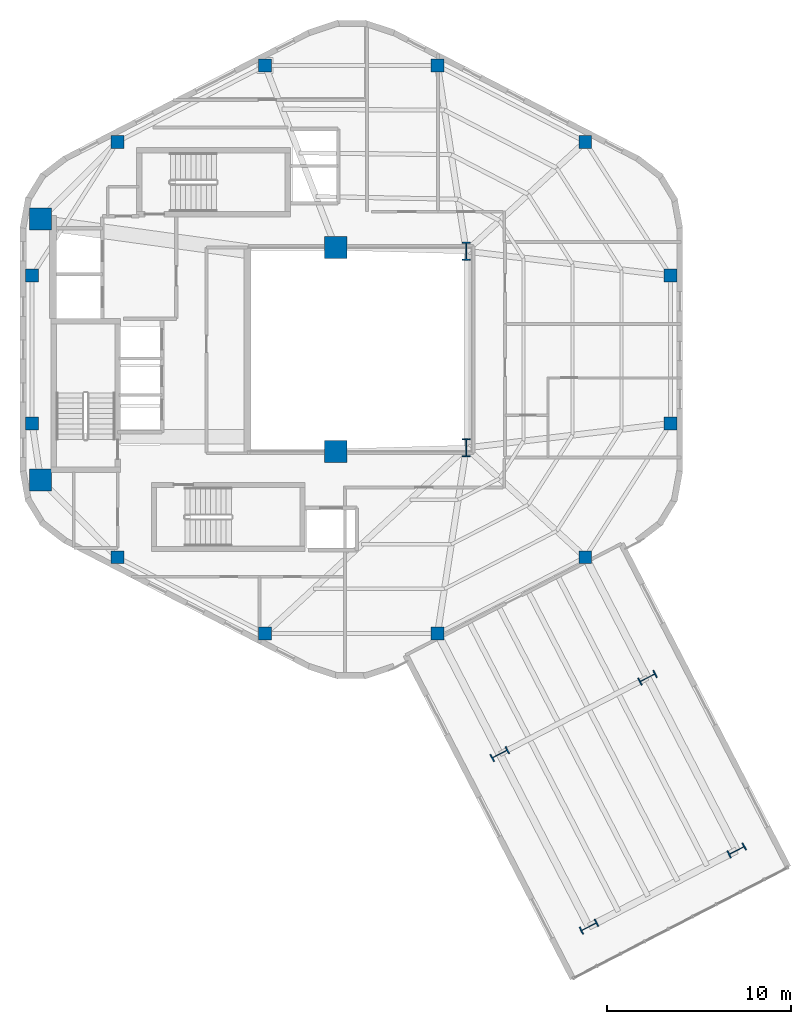
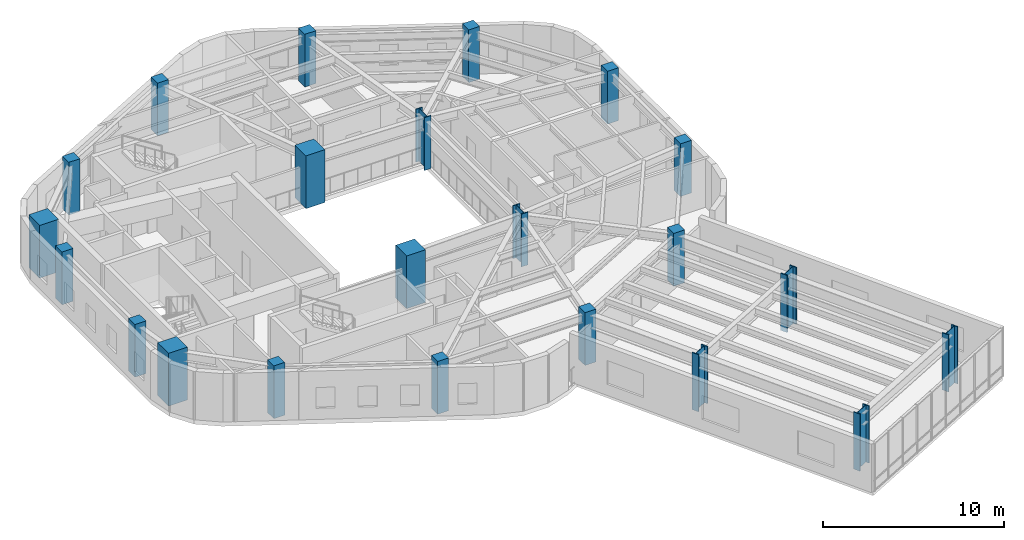
# One storey, part 1 of 10: 22 columns.
"""IFC4 building model written with IfcOpenShell, lengths in metres."""

from ifc_helpers import new_model, si_unit, direction, frame, origin, origin_2d, place, context, subcontext, project, spatial, rectangle, i_section, extrude, material, material_profile, profile_set, type_object, element, save


model = new_model("IFC4")

# Units and contexts
model_context = context("Model", 3, precision=1e-05, world=origin(), true_north=direction((0.0, 1.0)))
body_context = subcontext(model_context, "Body", "Model", "MODEL_VIEW")
ifc_project = project(units=[si_unit("LENGTHUNIT", "METRE"), si_unit("AREAUNIT", "SQUARE_METRE"), si_unit("VOLUMEUNIT", "CUBIC_METRE"), si_unit("PLANEANGLEUNIT", "RADIAN"), si_unit("MASSUNIT", "GRAM", prefix="KILO"), si_unit("THERMODYNAMICTEMPERATUREUNIT", "KELVIN"), si_unit("POWERUNIT", "WATT")], contexts=[model_context])

# Site, building, storey
site_placement = place(None, origin())
site = spatial("IfcSite", under=ifc_project, at=site_placement, CompositionType="ELEMENT")
building_placement = place(site_placement, origin())
building = spatial("IfcBuilding", under=site, at=building_placement, Name="Skarre Station Tower", CompositionType="ELEMENT")
storey_placement = place(building_placement, frame((0.0, 0.0, 234.800048828125)))
storey = spatial("IfcBuildingStorey", under=building, at=storey_placement, Name="L64", CompositionType="ELEMENT", Elevation=234.800048828125)

# Columns
ifc_material_1 = material(Name="Concrete C60/75", Category="concrete")
ifc_material_profile_1 = material_profile(ifc_material_1, rectangle(XDim=1.199951171875, YDim=1.199951171875, at=origin_2d()), Name="Concrete C60/75")
ifc_profile_set_1 = profile_set([ifc_material_profile_1], Name="Concrete C60/75")
column_type_1 = type_object("IfcColumnType", Name="RC Structural Column RC-COL-1200X1200", PredefinedType="COLUMN", material=ifc_profile_set_1)
for number, where, z_axis, x_axis, name in (
    (1, (16.300048828125, 16.89990234375, 0.0), (0.0, 0.0, 1.0), (1.0, 0.0, 0.0), "L64 Core Column CC-SW"),
    (2, (16.300048828125, 31.10009765625, 0.0), (0.0, 0.0, 1.0), (1.0, 0.0, 0.0), "L64 Core Column CC-NW"),
    (3, (32.35009765625, 18.449951171875, 0.0), (0.0, 0.0, 1.0), (1.0, 0.0, 0.0), "L64 Core Column CC-SE"),
    (4, (32.35009765625, 29.550048828125, 0.0), (0.0, 0.0, 1.0), (1.0, 0.0, 0.0), "L64 Core Column CC-NE"),
):
    element("IfcColumn", number, at=place(storey_placement, frame(where, z_axis=z_axis, x_axis=x_axis)), inside=storey, type_object=column_type_1, Name=name, PredefinedType="COLUMN", context=body_context, shape_type="SweptSolid", body=[
        extrude(rectangle(XDim=1.199951171875, YDim=1.199951171875, at=origin_2d()), origin(), (0.0, 0.0, 1.0), 3.550048828125),
    ])
ifc_material_2 = material(Name="Concrete C50/60", Category="concrete")
ifc_material_profile_2 = material_profile(ifc_material_2, rectangle(XDim=0.699951171875, YDim=0.699951171875, at=origin_2d()), Name="Concrete C50/60")
ifc_profile_set_2 = profile_set([ifc_material_profile_2], Name="Concrete C50/60")
column_type_2 = type_object("IfcColumnType", Name="RC Structural Column RC-COL-700X700", PredefinedType="COLUMN", material=ifc_profile_set_2)
for number, where, z_axis, x_axis, name in (
    (5, (45.927001953125, 35.298095703125, 0.0), (0.0, 0.0, 1.0), (1.0, 0.0, 0.0), "L64 Zone 4 Perimeter Column F0C1"),
    (6, (37.888916015625, 39.447021484375, 0.0), (0.0, 0.0, 1.0), (1.0, 0.0, 0.0), "L64 Zone 4 Perimeter Column F0C2"),
    (7, (28.510986328125, 39.447021484375, 0.0), (0.0, 0.0, 1.0), (1.0, 0.0, 0.0), "L64 Zone 4 Perimeter Column F1C1"),
    (8, (20.472900390625, 35.298095703125, 0.0), (0.0, 0.0, 1.0), (1.0, 0.0, 0.0), "L64 Zone 4 Perimeter Column F1C2"),
    (9, (15.8369140625, 28.02099609375, 0.0), (0.0, 0.0, 1.0), (1.0, 0.0, 0.0), "L64 Zone 4 Perimeter Column F2C1"),
    (10, (15.8369140625, 19.97900390625, 0.0), (0.0, 0.0, 1.0), (1.0, 0.0, 0.0), "L64 Zone 4 Perimeter Column F2C2"),
    (11, (20.472900390625, 12.701904296875, 0.0), (0.0, 0.0, 1.0), (1.0, 0.0, 0.0), "L64 Zone 4 Perimeter Column F3C1"),
    (12, (28.510986328125, 8.552978515625, 0.0), (0.0, 0.0, 1.0), (1.0, 0.0, 0.0), "L64 Zone 4 Perimeter Column F3C2"),
    (13, (37.888916015625, 8.552978515625, 0.0), (0.0, 0.0, 1.0), (1.0, 0.0, 0.0), "L64 Zone 4 Perimeter Column F4C1"),
    (14, (45.927001953125, 12.701904296875, 0.0), (0.0, 0.0, 1.0), (1.0, 0.0, 0.0), "L64 Zone 4 Perimeter Column F4C2"),
    (15, (50.56298828125, 19.97900390625, 0.0), (0.0, 0.0, 1.0), (1.0, 0.0, 0.0), "L64 Zone 4 Perimeter Column F5C1"),
    (16, (50.56298828125, 28.02099609375, 0.0), (0.0, 0.0, 1.0), (1.0, 0.0, 0.0), "L64 Zone 4 Perimeter Column F5C2"),
):
    element("IfcColumn", number, at=place(storey_placement, frame(where, z_axis=z_axis, x_axis=x_axis)), inside=storey, type_object=column_type_2, Name=name, PredefinedType="COLUMN", context=body_context, shape_type="SweptSolid", body=[
        extrude(rectangle(XDim=0.699951171875, YDim=0.699951171875, at=origin_2d()), origin(), (0.0, 0.0, 1.0), 3.550048828125),
    ])
ifc_material_3 = material(Name="Steel ASTM A913 Grade 65", Category="steel")
ifc_material_profile_3 = material_profile(ifc_material_3, i_section(OverallWidth=0.430908203125, OverallDepth=0.987060546875, WebThickness=0.033935546875, FlangeThickness=0.06201171875, at=origin_2d()), Name="Steel ASTM A913 Grade 65")
ifc_profile_set_3 = profile_set([ifc_material_profile_3], Name="Steel ASTM A913 Grade 65")
column_type_3 = type_object("IfcColumnType", Name="Steel Column W36X441", PredefinedType="COLUMN", material=ifc_profile_set_3)
for number, where, z_axis, x_axis, name in (
    (17, (39.449951171875, 18.64990234375, 0.0), (0.0, 0.0, 1.0), (1.0, 0.0, 0.0), "L64 Atrium Spine Column AC-SE"),
    (18, (39.449951171875, 29.35009765625, 0.0), (0.0, 0.0, 1.0), (1.0, 0.0, 0.0), "L64 Atrium Spine Column AC-NE"),
):
    element("IfcColumn", number, at=place(storey_placement, frame(where, z_axis=z_axis, x_axis=x_axis)), inside=storey, type_object=column_type_3, Name=name, PredefinedType="COLUMN", context=body_context, shape_type="SweptSolid", body=[
        extrude(i_section(OverallWidth=0.430908203125, OverallDepth=0.987060546875, WebThickness=0.033935546875, FlangeThickness=0.06201171875, at=origin_2d()), origin(), (0.0, 0.0, 1.0), 3.550048828125),
    ])
for number, where, z_axis, x_axis, name in (
    (19, (41.27392578125, 1.9951171875, -0.2900390625), (0.0, 0.0, 1.0), (0.458711590553, -0.88858521071, 0.0), "L64 SB-5 Sky-Bar Frame Column M1"),
    (20, (49.31201171875, 6.14404296875, -0.2900390625), (0.0, 0.0, 1.0), (0.458711590553, -0.88858521071, 0.0), "L64 SB-5 Sky-Bar Frame Column M2"),
    (21, (46.123046875, -7.39697265625, -0.2900390625), (0.0, 0.0, 1.0), (0.458711590553, -0.88858521071, 0.0), "L64 SB-5 Sky-Bar Frame Column T1"),
    (22, (54.160888671875, -3.248046875, -0.2900390625), (0.0, 0.0, 1.0), (0.458711590553, -0.88858521071, 0.0), "L64 SB-5 Sky-Bar Frame Column T2"),
):
    element("IfcColumn", number, at=place(storey_placement, frame(where, z_axis=z_axis, x_axis=x_axis)), inside=storey, type_object=column_type_3, Name=name, PredefinedType="COLUMN", context=body_context, shape_type="SweptSolid", body=[
        extrude(i_section(OverallWidth=0.430908203125, OverallDepth=0.987060546875, WebThickness=0.033935546875, FlangeThickness=0.06201171875, at=origin_2d()), origin(), (0.0, 0.0, 1.0), 3.840087890625),
    ])

save(model, "model.ifc")
